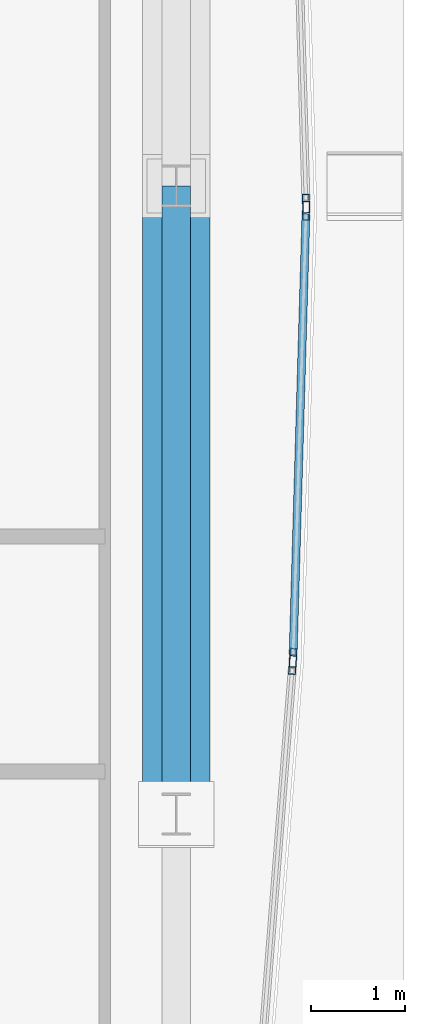
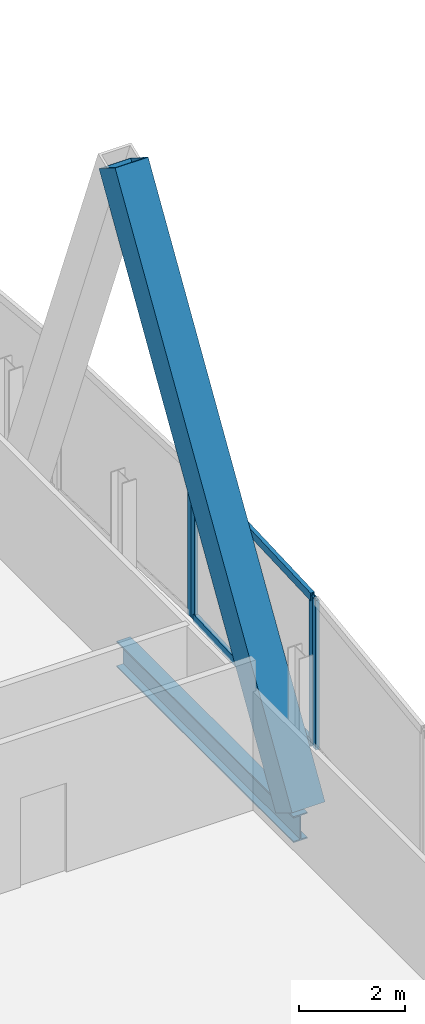
# One storey, part 18 of 32: 7 members, 1 beam, 3 elements without a shape of their own.
"""IFC4 building model written with IfcOpenShell, lengths in metres."""

from ifc_helpers import new_model, si_unit, direction, frame, origin, origin_2d, place, context, subcontext, project, spatial, hollow_rectangle, i_section, extrude, material, material_profile, profile_set, type_object, element, aggregate, save


model = new_model("IFC4")

# Units and contexts
model_context = context("Model", 3, precision=1e-05, world=origin(), true_north=direction((0.0, 1.0)))
body_context = subcontext(model_context, "Body", "Model", "MODEL_VIEW")
ifc_project = project(units=[si_unit("LENGTHUNIT", "METRE"), si_unit("AREAUNIT", "SQUARE_METRE"), si_unit("VOLUMEUNIT", "CUBIC_METRE"), si_unit("PLANEANGLEUNIT", "RADIAN"), si_unit("MASSUNIT", "GRAM", prefix="KILO")], contexts=[model_context])

# Site, building, storey
site_placement = place(None, origin())
site = spatial("IfcSite", under=ifc_project, at=site_placement, CompositionType="ELEMENT")
building_placement = place(site_placement, origin())
building = spatial("IfcBuilding", under=site, at=building_placement, Name="Khoronbel Lancet Exchange", CompositionType="ELEMENT")
storey_placement = place(building_placement, frame((0.0, 0.0, 188.60009765625)))
storey = spatial("IfcBuildingStorey", under=building, at=storey_placement, Name="L47", CompositionType="ELEMENT", Elevation=188.60009765625)

# Beam
ifc_material_1 = material(Name="Steel S355", Category="steel")
ifc_material_profile_1 = material_profile(ifc_material_1, i_section(OverallWidth=0.300048828125, OverallDepth=0.60009765625, WebThickness=0.015380859375, FlangeThickness=0.030029296875, at=origin_2d()), Name="HEB 600")
ifc_profile_set_1 = profile_set([ifc_material_profile_1], Name="Steel S355")
beam_type = type_object("IfcBeamType", Name="BM-BSP2", PredefinedType="SPANDREL", material=ifc_profile_set_1)
beam_placement = place(storey_placement, frame((65.6298828125, 24.75, -0.460205078125), z_axis=(0.0, 1.0, 0.0), x_axis=(-1.0, 0.0, 0.0)))
element("IfcBeam", 1, at=beam_placement, inside=storey, type_object=beam_type, Name="Level L47 perimeter spandrel beam SP10", PredefinedType="SPANDREL", context=body_context, shape_type="SweptSolid", body=[
    extrude(i_section(OverallWidth=0.300048828125, OverallDepth=0.60009765625, WebThickness=0.015380859375, FlangeThickness=0.030029296875, at=origin_2d()), origin(), (0.0, 0.0, 1.0), 6.675048828125),
])

# Curtain wall, member
ifc_material_2 = material(Name="Low-E Solar Control Insulating Glass", Category="glass")
curtain_wall_type = type_object("IfcCurtainWallType", Name="CW-4", PredefinedType="NOTDEFINED", material=ifc_material_2)
curtain_wall_1_placement = place(storey_placement, origin())
curtain_wall_1 = element("IfcCurtainWall", 2, at=curtain_wall_1_placement, inside=storey, type_object=curtain_wall_type, Name="Unitised curtain wall CW-L47-E19", PredefinedType="NOTDEFINED")
ifc_material_3 = material(Name="Bronze-Anodised Aluminium 6063-T6", Category="aluminium")
ifc_material_profile_2 = material_profile(ifc_material_3, hollow_rectangle(XDim=0.074951171875, YDim=0.199951171875, WallThickness=0.0048828125, at=origin_2d()), Name="ALU MULLION 75x200")
ifc_profile_set_2 = profile_set([ifc_material_profile_2], Name="Bronze-Anodised Aluminium 6063-T6")
member_type_1 = type_object("IfcMemberType", Name="MEM-CWM2", PredefinedType="MULLION", material=ifc_profile_set_2)
member_1_placement = place(storey_placement, frame((67.0087890625, 31.237548828125, 0.0), z_axis=(0.0, 0.0, 1.0), x_axis=(0.999576300376, 0.029107039142, 0.0)))
member_1 = element("IfcMember", 3, at=member_1_placement, type_object=member_type_1, Name="CW4 mullion 2", PredefinedType="MULLION", context=body_context, shape_type="SweptSolid", body=[
    extrude(hollow_rectangle(XDim=0.074951171875, YDim=0.199951171875, WallThickness=0.0048828125, at=origin_2d()), origin(), (0.0, 0.0, 1.0), 3.43994140625),
])
aggregate(curtain_wall_1, [member_1])

# Curtain wall, members
curtain_wall_2_placement = place(storey_placement, origin())
curtain_wall_2 = element("IfcCurtainWall", 4, at=curtain_wall_2_placement, inside=storey, type_object=curtain_wall_type, Name="Unitised curtain wall CW-L47-E20", PredefinedType="NOTDEFINED")
member_2_placement = place(storey_placement, frame((67.0087890625, 31.16259765625, 0.0), z_axis=(0.0, 0.0, 1.0), x_axis=(0.999576300376, -0.029107039142, 0.0)))
member_2 = element("IfcMember", 5, at=member_2_placement, type_object=member_type_1, Name="CW4 mullion 1", PredefinedType="MULLION", context=body_context, shape_type="SweptSolid", body=[
    extrude(hollow_rectangle(XDim=0.074951171875, YDim=0.199951171875, WallThickness=0.0048828125, at=origin_2d()), origin(), (0.0, 0.0, 1.0), 3.43994140625),
])
member_3_placement = place(storey_placement, frame((66.87060546875, 26.4091796875, 0.0), z_axis=(0.0, 0.0, 1.0), x_axis=(0.999576300376, -0.029107039142, 0.0)))
member_3 = element("IfcMember", 6, at=member_3_placement, type_object=member_type_1, Name="CW4 mullion 2", PredefinedType="MULLION", context=body_context, shape_type="SweptSolid", body=[
    extrude(hollow_rectangle(XDim=0.074951171875, YDim=0.199951171875, WallThickness=0.0048828125, at=origin_2d()), origin(), (0.0, 0.0, 1.0), 3.43994140625),
])

# Curtain wall, member
curtain_wall_3_placement = place(storey_placement, origin())
curtain_wall_3 = element("IfcCurtainWall", 7, at=curtain_wall_3_placement, inside=storey, type_object=curtain_wall_type, Name="Unitised curtain wall CW-L47-E21", PredefinedType="NOTDEFINED")
member_4_placement = place(storey_placement, frame((66.866455078125, 26.334228515625, 0.0), z_axis=(0.0, 0.0, 1.0), x_axis=(0.996854401909, -0.079254661653, 0.0)))
member_4 = element("IfcMember", 8, at=member_4_placement, type_object=member_type_1, Name="CW4 mullion 1", PredefinedType="MULLION", context=body_context, shape_type="SweptSolid", body=[
    extrude(hollow_rectangle(XDim=0.074951171875, YDim=0.199951171875, WallThickness=0.0048828125, at=origin_2d()), origin(), (0.0, 0.0, 1.0), 3.43994140625),
])
aggregate(curtain_wall_3, [member_4])

# Member
ifc_material_profile_3 = material_profile(ifc_material_3, hollow_rectangle(XDim=0.0849609375, YDim=0.179931640625, WallThickness=0.0048828125, at=origin_2d()), Name="ALU TRANSOM 85x180")
ifc_profile_set_3 = profile_set([ifc_material_profile_3], Name="Bronze-Anodised Aluminium 6063-T6")
member_type_2 = type_object("IfcMemberType", Name="MEM-CWT1", PredefinedType="USERDEFINED", material=ifc_profile_set_3)
member_5_placement = place(storey_placement, frame((67.0078125, 31.125, 0.04248046875), z_axis=(-0.029106277096, -0.999576322566, 0.0), x_axis=(0.999576322566, -0.029106277096, 0.0)))
member_5 = element("IfcMember", 9, at=member_5_placement, type_object=member_type_2, Name="CW4 transom 1.1", ObjectType="TRANSOM", PredefinedType="USERDEFINED", context=body_context, shape_type="SweptSolid", body=[
    extrude(hollow_rectangle(XDim=0.0849609375, YDim=0.179931640625, WallThickness=0.0048828125, at=origin_2d()), origin(), (0.0, 0.0, 1.0), 4.680419921875),
])

member_6_placement = place(storey_placement, frame((67.0078125, 31.125, 3.3974609375), z_axis=(-0.029106277096, -0.999576322566, 0.0), x_axis=(0.999576322566, -0.029106277096, 0.0)))
member_6 = element("IfcMember", 10, at=member_6_placement, type_object=member_type_2, Name="CW4 transom 1.2", ObjectType="TRANSOM", PredefinedType="USERDEFINED", context=body_context, shape_type="SweptSolid", body=[
    extrude(hollow_rectangle(XDim=0.0849609375, YDim=0.179931640625, WallThickness=0.0048828125, at=origin_2d()), origin(), (0.0, 0.0, 1.0), 4.680419921875),
])

aggregate(curtain_wall_2, [member_2, member_3, member_5, member_6])

ifc_material_4 = material(Name="Steel S460", Category="steel")
ifc_material_profile_4 = material_profile(ifc_material_4, hollow_rectangle(XDim=0.719970703125, YDim=0.719970703125, WallThickness=0.050048828125, at=origin_2d()), Name="BOX 720x720x50")
ifc_profile_set_4 = profile_set([ifc_material_profile_4], Name="Steel S460")
member_type_3 = type_object("IfcMemberType", Name="MEM-MB2", PredefinedType="BRACE", material=ifc_profile_set_4)
member_7_placement = place(storey_placement, frame((65.6298828125, 24.75, 0.0), z_axis=(0.0, 0.525754049787, 0.850636631666), x_axis=(-1.0, 0.0, 0.0)))
element("IfcMember", 11, at=member_7_placement, inside=storey, type_object=member_type_3, Name="Perimeter lancet brace tier 16 E-P-L", PredefinedType="BRACE", context=body_context, shape_type="SweptSolid", body=[
    extrude(hollow_rectangle(XDim=0.719970703125, YDim=0.719970703125, WallThickness=0.050048828125, at=origin_2d()), origin(), (0.0, 0.0, 1.0), 12.696044921875),
])

save(model, "model.ifc")
